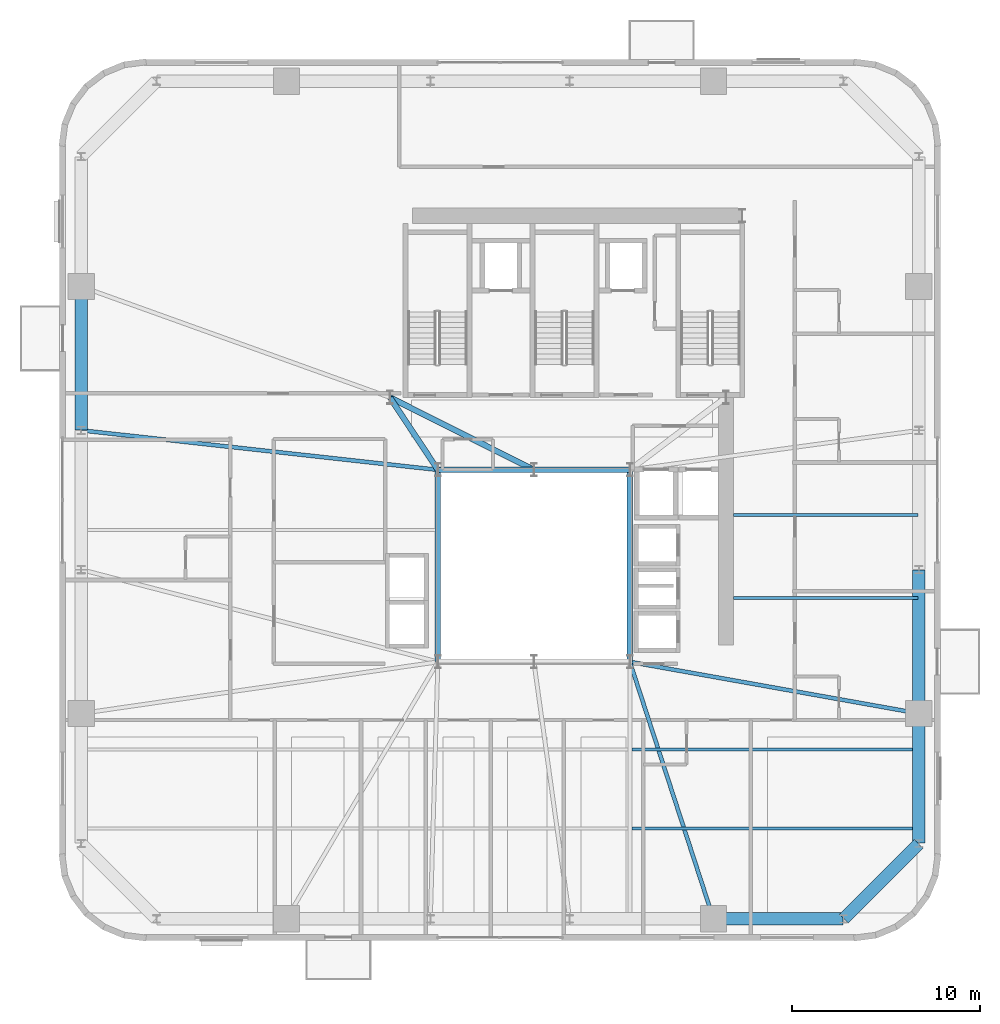
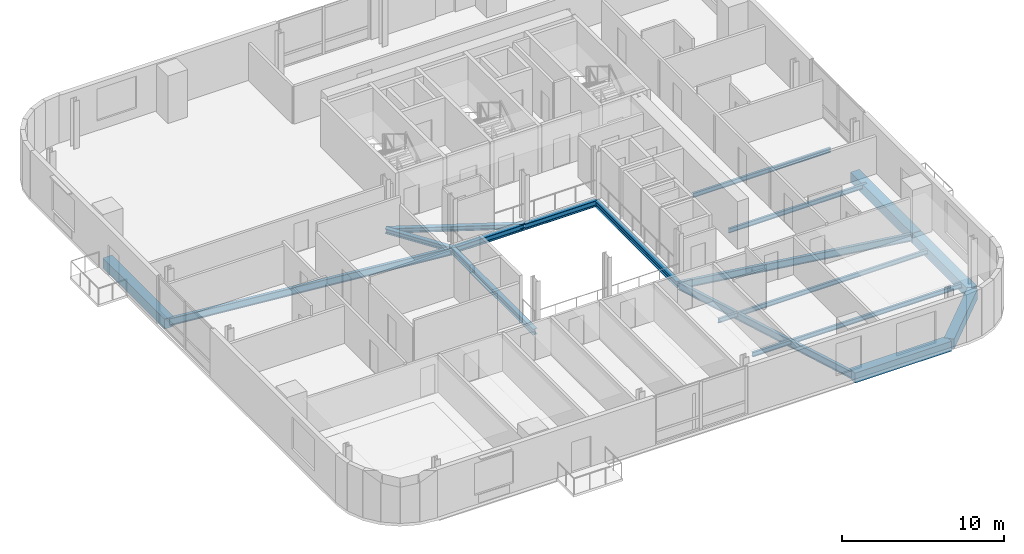
# One storey, part 4 of 16: 18 beams.
"""IFC4 building model written with IfcOpenShell, lengths in metres."""

from ifc_helpers import new_model, si_unit, direction, frame, origin, origin_2d, place, context, subcontext, project, spatial, rectangle, i_section, extrude, source, transform, mapped, material, material_profile, profile_set, type_object, element, save


model = new_model("IFC4")

# Units and contexts
model_context = context("Model", 3, precision=1e-05, world=origin(), true_north=direction((0.0, 1.0)))
body_context = subcontext(model_context, "Body", "Model", "MODEL_VIEW")
ifc_project = project(units=[si_unit("LENGTHUNIT", "METRE"), si_unit("AREAUNIT", "SQUARE_METRE"), si_unit("VOLUMEUNIT", "CUBIC_METRE"), si_unit("PLANEANGLEUNIT", "RADIAN"), si_unit("MASSUNIT", "GRAM", prefix="KILO")], contexts=[model_context])

# Site, building, storey
site_placement = place(None, origin())
site = spatial("IfcSite", under=ifc_project, at=site_placement, CompositionType="ELEMENT")
building_placement = place(site_placement, origin())
building = spatial("IfcBuilding", under=site, at=building_placement, Name="Vardaveli Station Tower", CompositionType="ELEMENT")
storey_placement = place(building_placement, frame((0.0, 0.0, 181.0)))
storey = spatial("IfcBuildingStorey", under=building, at=storey_placement, Name="L46", CompositionType="ELEMENT", Elevation=181.0)

# Beams
ifc_material_1 = material(Name="Structural steel S355J2", Category="steel")
ifc_material_profile_1 = material_profile(ifc_material_1, i_section(OverallWidth=0.300048828125, OverallDepth=0.449951171875, WebThickness=0.013916015625, FlangeThickness=0.02587890625, FilletRadius=0.027099609375, at=origin_2d()), Name="HEB 450")
ifc_profile_set_1 = profile_set([ifc_material_profile_1], Name="Structural steel S355J2")
beam_type_1 = type_object("IfcBeamType", Name="BM-HEB450", PredefinedType="BEAM", material=ifc_profile_set_1)
shared_shape_1 = source(origin(), body_context, "Body", "SweptSolid", [
    extrude(i_section(OverallWidth=0.300048828125, OverallDepth=0.449951171875, WebThickness=0.013916015625, FlangeThickness=0.02587890625, FilletRadius=0.027099609375, at=origin_2d()), origin(), (0.0, 0.0, 1.0), 5.06005859375),
])
beam_1_placement = place(storey_placement, frame((36.280029296875, 26.800048828125, -0.445068359375), z_axis=(-1.0, 0.0, 0.0), x_axis=(0.0, -1.0, 0.0)))
element("IfcBeam", 1, at=beam_1_placement, inside=storey, type_object=beam_type_1, Name="ABM-L46-05", PredefinedType="BEAM", context=body_context, shape_type="MappedRepresentation", body=[
    mapped(shared_shape_1, transform((0.0, 0.0, 0.0), scale=1.0)),
])
shared_shape_2 = source(origin(), body_context, "Body", "SweptSolid", [
    extrude(i_section(OverallWidth=0.300048828125, OverallDepth=0.449951171875, WebThickness=0.013916015625, FlangeThickness=0.02587890625, FilletRadius=0.027099609375, at=origin_2d()), origin(), (0.0, 0.0, 1.0), 5.059814453125),
])
beam_2_placement = place(storey_placement, frame((41.3798828125, 26.800048828125, -0.445068359375), z_axis=(-1.0, 0.0, 0.0), x_axis=(0.0, -1.0, 0.0)))
element("IfcBeam", 2, at=beam_2_placement, inside=storey, type_object=beam_type_1, Name="ABM-L46-04", PredefinedType="BEAM", context=body_context, shape_type="MappedRepresentation", body=[
    mapped(shared_shape_2, transform((0.0, 0.0, 0.0), scale=1.0)),
])
shared_shape_3 = source(origin(), body_context, "Body", "SweptSolid", [
    extrude(i_section(OverallWidth=0.300048828125, OverallDepth=0.449951171875, WebThickness=0.013916015625, FlangeThickness=0.02587890625, FilletRadius=0.027099609375, at=origin_2d()), origin(), (0.0, 0.0, 1.0), 10.159912109375),
])
for number, where, z_axis, x_axis, name in (
    (3, (41.39990234375, 16.6201171875, -0.445068359375), (0.0, 1.0, 0.0), (-1.0, 0.0, 0.0), "ABM-L46-03"),
    (4, (31.199951171875, 26.780029296875, -0.445068359375), (0.0, -1.0, 0.0), (1.0, 0.0, 0.0), "ABM-L46-06"),
):
    element("IfcBeam", number, at=place(storey_placement, frame(where, z_axis=z_axis, x_axis=x_axis)), inside=storey, type_object=beam_type_1, Name=name, PredefinedType="BEAM", context=body_context, shape_type="MappedRepresentation", body=[
        mapped(shared_shape_3, transform((0.0, 0.0, 0.0), scale=1.0)),
    ])
ifc_material_profile_2 = material_profile(ifc_material_1, i_section(OverallWidth=0.300048828125, OverallDepth=0.360107421875, WebThickness=0.012451171875, FlangeThickness=0.0224609375, FilletRadius=0.027099609375, at=origin_2d()), Name="HEB 360")
ifc_profile_set_2 = profile_set([ifc_material_profile_2], Name="Structural steel S355J2")
beam_type_2 = type_object("IfcBeamType", Name="BM-HEB360", PredefinedType="BEAM", material=ifc_profile_set_2)
shared_shape_4 = source(origin(), body_context, "Body", "SweptSolid", [
    extrude(i_section(OverallWidth=0.300048828125, OverallDepth=0.360107421875, WebThickness=0.012451171875, FlangeThickness=0.0224609375, FilletRadius=0.027099609375, at=origin_2d()), origin(), (0.0, 0.0, 1.0), 4.577880859375),
])
beam_3_placement = place(storey_placement, frame((31.18896484375, 26.816650390625, -0.39990234375), z_axis=(-0.55218702139, 0.833720272879, 0.0), x_axis=(-0.833720272879, -0.55218702139, 0.0)))
element("IfcBeam", 5, at=beam_3_placement, inside=storey, type_object=beam_type_2, Name="CBM-L46-01", PredefinedType="BEAM", context=body_context, shape_type="MappedRepresentation", body=[
    mapped(shared_shape_4, transform((0.0, 0.0, 0.0), scale=1.0)),
])
shared_shape_5 = source(origin(), body_context, "Body", "SweptSolid", [
    extrude(i_section(OverallWidth=0.300048828125, OverallDepth=0.360107421875, WebThickness=0.012451171875, FlangeThickness=0.0224609375, FilletRadius=0.027099609375, at=origin_2d()), origin(), (0.0, 0.0, 1.0), 8.524169921875),
])
beam_4_placement = place(storey_placement, frame((28.66796875, 30.64111328125, -0.39990234375), z_axis=(0.893255584708, -0.449549174605, 0.0), x_axis=(0.449549174605, 0.893255584708, 0.0)))
element("IfcBeam", 6, at=beam_4_placement, inside=storey, type_object=beam_type_2, Name="CBM-L46-03", PredefinedType="BEAM", context=body_context, shape_type="MappedRepresentation", body=[
    mapped(shared_shape_5, transform((0.0, 0.0, 0.0), scale=1.0)),
])
ifc_material_2 = material(Name="Precast concrete C45/55", Category="concrete")
ifc_material_profile_3 = material_profile(ifc_material_2, rectangle(XDim=0.64990234375, YDim=0.75, at=origin_2d()), Name="LPB 650x750")
ifc_profile_set_3 = profile_set([ifc_material_profile_3], Name="Precast concrete C45/55")
beam_type_3 = type_object("IfcBeamType", Name="BM-LPB-750", PredefinedType="BEAM", material=ifc_profile_set_3)
shared_shape_6 = source(origin(), body_context, "Body", "SweptSolid", [
    extrude(rectangle(XDim=0.64990234375, YDim=0.75, at=origin_2d()), origin(), (0.0, 0.0, 1.0), 7.60009765625),
])
for number, where, z_axis, x_axis, name in (
    (7, (56.75, 13.8798828125, -0.594970703125), (0.0, 1.0, 0.0), (-1.0, 0.0, 0.0), "RBM-L46-07"),
    (8, (12.25, 36.52001953125, -0.594970703125), (0.0, -1.0, 0.0), (1.0, 0.0, 0.0), "RBM-L46-19"),
):
    element("IfcBeam", number, at=place(storey_placement, frame(where, z_axis=z_axis, x_axis=x_axis)), inside=storey, type_object=beam_type_3, Name=name, PredefinedType="BEAM", context=body_context, shape_type="MappedRepresentation", body=[
        mapped(shared_shape_6, transform((0.0, 0.0, 0.0), scale=1.0)),
    ])
shared_shape_7 = source(origin(), body_context, "Body", "SweptSolid", [
    extrude(rectangle(XDim=0.64990234375, YDim=0.75, at=origin_2d()), origin(), (0.0, 0.0, 1.0), 6.869873046875),
])
beam_5_placement = place(storey_placement, frame((45.860107421875, 2.949951171875, -0.594970703125), z_axis=(1.0, 0.0, 0.0), x_axis=(0.0, 1.0, 0.0)))
element("IfcBeam", 9, at=beam_5_placement, inside=storey, type_object=beam_type_3, Name="RBM-L46-04", PredefinedType="BEAM", context=body_context, shape_type="MappedRepresentation", body=[
    mapped(shared_shape_7, transform((0.0, 0.0, 0.0), scale=1.0)),
])
shared_shape_8 = source(origin(), body_context, "Body", "SweptSolid", [
    extrude(rectangle(XDim=0.64990234375, YDim=0.75, at=origin_2d()), origin(), (0.0, 0.0, 1.0), 5.61669921875),
])
beam_6_placement = place(storey_placement, frame((52.76416015625, 2.964111328125, -0.594970703125), z_axis=(0.707106781187, 0.707106781187, 0.0), x_axis=(-0.707106781187, 0.707106781187, 0.0)))
element("IfcBeam", 10, at=beam_6_placement, inside=storey, type_object=beam_type_3, Name="RBM-L46-05", PredefinedType="BEAM", context=body_context, shape_type="MappedRepresentation", body=[
    mapped(shared_shape_8, transform((0.0, 0.0, 0.0), scale=1.0)),
])
shared_shape_9 = source(origin(), body_context, "Body", "SweptSolid", [
    extrude(rectangle(XDim=0.64990234375, YDim=0.75, at=origin_2d()), origin(), (0.0, 0.0, 1.0), 6.8701171875),
])
beam_7_placement = place(storey_placement, frame((56.75, 6.969970703125, -0.594970703125), z_axis=(0.0, 1.0, 0.0), x_axis=(-1.0, 0.0, 0.0)))
element("IfcBeam", 11, at=beam_7_placement, inside=storey, type_object=beam_type_3, Name="RBM-L46-06", PredefinedType="BEAM", context=body_context, shape_type="MappedRepresentation", body=[
    mapped(shared_shape_9, transform((0.0, 0.0, 0.0), scale=1.0)),
])
ifc_material_profile_4 = material_profile(ifc_material_1, i_section(OverallWidth=0.159912109375, OverallDepth=0.330078125, WebThickness=0.007568359375, FlangeThickness=0.011474609375, FilletRadius=0.01806640625, at=origin_2d()), Name="IPE 330")
ifc_profile_set_4 = profile_set([ifc_material_profile_4], Name="Structural steel S355J2")
beam_type_4 = type_object("IfcBeamType", Name="BM-IPE330", PredefinedType="JOIST", material=ifc_profile_set_4)
shared_shape_10 = source(origin(), body_context, "Body", "SweptSolid", [
    extrude(i_section(OverallWidth=0.159912109375, OverallDepth=0.330078125, WebThickness=0.007568359375, FlangeThickness=0.011474609375, FilletRadius=0.01806640625, at=origin_2d()), origin(), (0.0, 0.0, 1.0), 15.197998046875),
])
for number, where, z_axis, x_axis, name in (
    (12, (41.511962890625, 7.75, -0.385009765625), (1.0, 0.0, 0.0), (0.0, 1.0, 0.0), "SJ-L46-S02"),
    (13, (41.511962890625, 11.949951171875, -0.385009765625), (1.0, 0.0, 0.0), (0.0, 1.0, 0.0), "SJ-L46-S04"),
):
    element("IfcBeam", number, at=place(storey_placement, frame(where, z_axis=z_axis, x_axis=x_axis)), inside=storey, type_object=beam_type_4, Name=name, PredefinedType="JOIST", context=body_context, shape_type="MappedRepresentation", body=[
        mapped(shared_shape_10, transform((0.0, 0.0, 0.0), scale=1.0)),
    ])
shared_shape_11 = source(origin(), body_context, "Body", "SweptSolid", [
    extrude(i_section(OverallWidth=0.159912109375, OverallDepth=0.330078125, WebThickness=0.007568359375, FlangeThickness=0.011474609375, FilletRadius=0.01806640625, at=origin_2d()), origin(), (0.0, 0.0, 1.0), 9.804931640625),
])
for number, where, z_axis, x_axis, name in (
    (14, (46.905029296875, 20.0, -0.385009765625), (1.0, 0.0, 0.0), (0.0, 1.0, 0.0), "SJ-L46-E07"),
    (15, (46.905029296875, 24.39990234375, -0.385009765625), (1.0, 0.0, 0.0), (0.0, 1.0, 0.0), "SJ-L46-E08"),
):
    element("IfcBeam", number, at=place(storey_placement, frame(where, z_axis=z_axis, x_axis=x_axis)), inside=storey, type_object=beam_type_4, Name=name, PredefinedType="JOIST", context=body_context, shape_type="MappedRepresentation", body=[
        mapped(shared_shape_11, transform((0.0, 0.0, 0.0), scale=1.0)),
    ])
ifc_material_profile_5 = material_profile(ifc_material_1, i_section(OverallWidth=0.2099609375, OverallDepth=0.550048828125, WebThickness=0.010986328125, FlangeThickness=0.01708984375, FilletRadius=0.02392578125, at=origin_2d()), Name="IPE 550")
ifc_profile_set_5 = profile_set([ifc_material_profile_5], Name="Structural steel S355J2")
beam_type_5 = type_object("IfcBeamType", Name="BM-IPE550", PredefinedType="BEAM", material=ifc_profile_set_5)
shared_shape_12 = source(origin(), body_context, "Body", "SweptSolid", [
    extrude(i_section(OverallWidth=0.2099609375, OverallDepth=0.550048828125, WebThickness=0.010986328125, FlangeThickness=0.01708984375, FilletRadius=0.02392578125, at=origin_2d()), origin(), (0.0, 0.0, 1.0), 14.31396484375),
])
beam_8_placement = place(storey_placement, frame((45.833740234375, 2.968994140625, -0.4951171875), z_axis=(-0.309311678023, 0.950960717295, 0.0), x_axis=(-0.950960717295, -0.309311678023, 0.0)))
element("IfcBeam", 16, at=beam_8_placement, inside=storey, type_object=beam_type_5, Name="GBM-L46-04", PredefinedType="BEAM", context=body_context, shape_type="MappedRepresentation", body=[
    mapped(shared_shape_12, transform((0.0, 0.0, 0.0), scale=1.0)),
])
shared_shape_13 = source(origin(), body_context, "Body", "SweptSolid", [
    extrude(i_section(OverallWidth=0.2099609375, OverallDepth=0.550048828125, WebThickness=0.010986328125, FlangeThickness=0.01708984375, FilletRadius=0.02392578125, at=origin_2d()), origin(), (0.0, 0.0, 1.0), 15.552490234375),
])
beam_9_placement = place(storey_placement, frame((56.730224609375, 13.863525390625, -0.4951171875), z_axis=(-0.984439991578, 0.1757210943, 0.0), x_axis=(-0.1757210943, -0.984439991578, 0.0)))
element("IfcBeam", 17, at=beam_9_placement, inside=storey, type_object=beam_type_5, Name="GBM-L46-05", PredefinedType="BEAM", context=body_context, shape_type="MappedRepresentation", body=[
    mapped(shared_shape_13, transform((0.0, 0.0, 0.0), scale=1.0)),
])
shared_shape_14 = source(origin(), body_context, "Body", "SweptSolid", [
    extrude(i_section(OverallWidth=0.2099609375, OverallDepth=0.550048828125, WebThickness=0.010986328125, FlangeThickness=0.01708984375, FilletRadius=0.02392578125, at=origin_2d()), origin(), (0.0, 0.0, 1.0), 19.026123046875),
])
beam_10_placement = place(storey_placement, frame((12.269775390625, 28.897705078125, -0.4951171875), z_axis=(0.993916552721, -0.110135762707, 0.0), x_axis=(0.110135762707, 0.993916552721, 0.0)))
element("IfcBeam", 18, at=beam_10_placement, inside=storey, type_object=beam_type_5, Name="GBM-L46-08", PredefinedType="BEAM", context=body_context, shape_type="MappedRepresentation", body=[
    mapped(shared_shape_14, transform((0.0, 0.0, 0.0), scale=1.0)),
])

save(model, "model.ifc")
